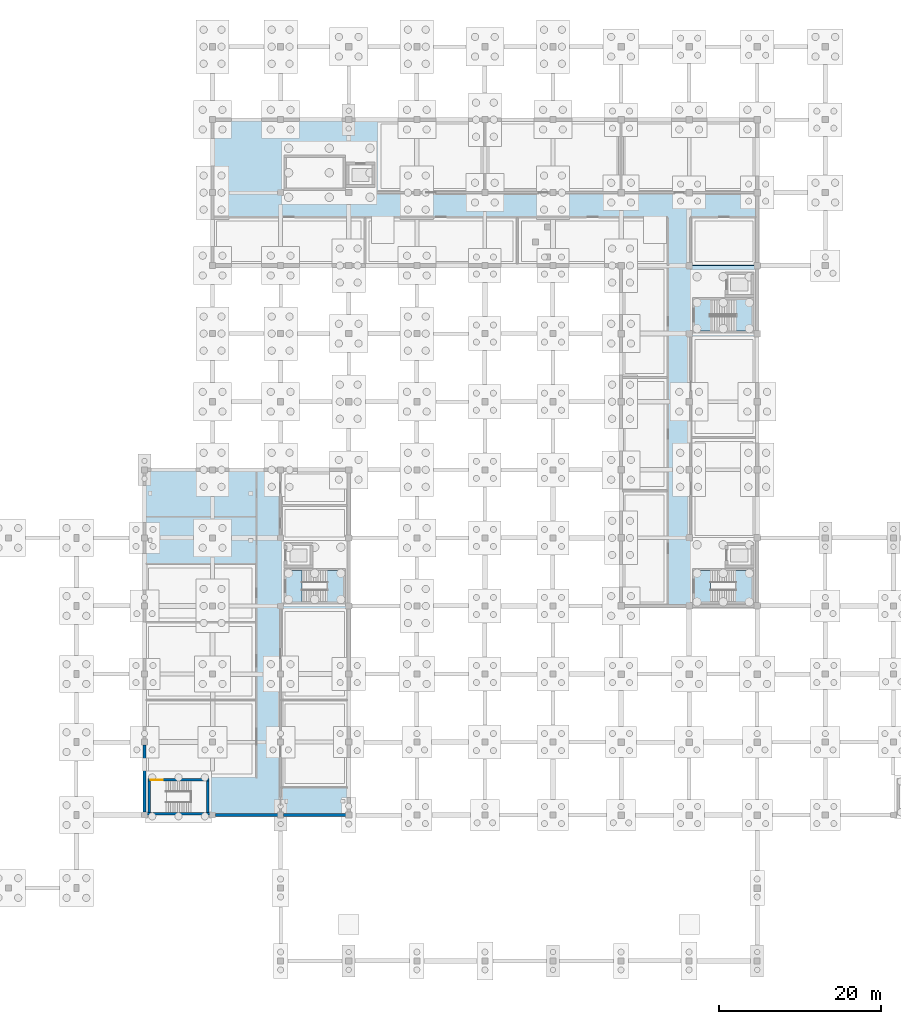
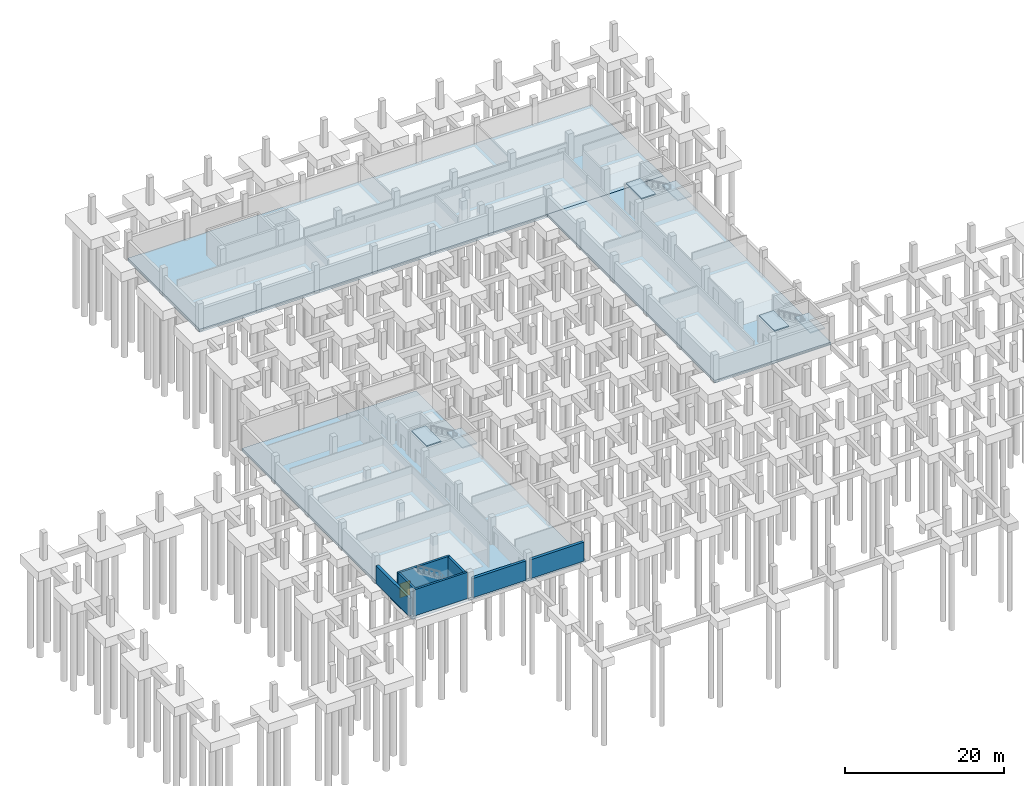
# One storey, part 11 of 20: 9 slabs, 7 walls, 1 door, 1 opening, 3 elements without a shape of their own.
"""IFC4 building model written with IfcOpenShell, lengths in metres."""

from ifc_helpers import new_model, si_unit, direction, frame, frame_2d, origin, place, context, subcontext, project, spatial, polyline, rectangle, outline, extrude, material, layer, layer_set, type_object, element, fill, aggregate, save


model = new_model("IFC4")

# Units and contexts
model_context = context("Model", 3, precision=1e-05, world=origin(), true_north=direction((0.0, 1.0)))
body_context = subcontext(model_context, "Body", "Model", "MODEL_VIEW")
ifc_project = project(units=[si_unit("LENGTHUNIT", "METRE"), si_unit("AREAUNIT", "SQUARE_METRE"), si_unit("VOLUMEUNIT", "CUBIC_METRE"), si_unit("PLANEANGLEUNIT", "RADIAN"), si_unit("MASSUNIT", "GRAM", prefix="KILO")], contexts=[model_context])

# Site, building, storey
site_placement = place(None, origin())
site = spatial("IfcSite", under=ifc_project, at=site_placement, CompositionType="ELEMENT")
building_placement = place(site_placement, origin())
building = spatial("IfcBuilding", under=site, at=building_placement, Name="Vireocrest Preparatory School", CompositionType="ELEMENT")
storey_placement = place(building_placement, frame((0.0, 0.0, -4.199951171875)))
storey = spatial("IfcBuildingStorey", under=building, at=storey_placement, Name="B01", CompositionType="ELEMENT", Elevation=-4.199951171875)

# Slabs
ifc_material_1 = material(Name="Concrete 40 MPa", Category="concrete")
ifc_layer_1 = layer(ifc_material_1, 0.419921875)
ifc_layer_set_1 = layer_set([ifc_layer_1], Name="Concrete 40 MPa")
slab_type_1 = type_object("IfcSlabType", Name="Basement Structural RC Base Slab 420", PredefinedType="BASESLAB", material=ifc_layer_set_1)
slab_1_placement = place(storey_placement, frame((0.0, 0.0, -0.420166015625)))
element("IfcSlab", 1, at=slab_1_placement, inside=storey, type_object=slab_type_1, Name="Slab B01_WEST_SUB", PredefinedType="BASESLAB", context=body_context, shape_type="SweptSolid", body=[
    extrude(outline(polyline([(33.60009765625, 18.0), (58.800048828125, 18.0), (58.800048828125, 60.60009765625), (33.60009765625, 60.60009765625), (33.60009765625, 18.0)])), origin(), (0.0, 0.0, 1.0), 0.420166015625),
])
slab_2_placement = place(storey_placement, frame((0.0, 0.0, -0.420166015625)))
element("IfcSlab", 2, at=slab_2_placement, inside=storey, type_object=slab_type_1, Name="Slab B01_EAST_PLANT", PredefinedType="BASESLAB", context=body_context, shape_type="SweptSolid", body=[
    extrude(outline(polyline([(92.39990234375, 43.800048828125), (109.199951171875, 43.800048828125), (109.199951171875, 85.800048828125), (92.39990234375, 85.800048828125), (92.39990234375, 43.800048828125)])), origin(), (0.0, 0.0, 1.0), 0.420166015625),
])
ifc_layer_2 = layer(ifc_material_1, 0.47998046875)
ifc_layer_set_2 = layer_set([ifc_layer_2], Name="Concrete 40 MPa")
slab_type_2 = type_object("IfcSlabType", Name="Central Plant Heavy RC Equipment Base Slab 480", PredefinedType="BASESLAB", material=ifc_layer_set_2)
slab_3_placement = place(storey_placement, frame((0.0, 0.0, -0.47998046875)))
element("IfcSlab", 3, at=slab_3_placement, inside=storey, type_object=slab_type_2, Name="Slab B01_NORTH_PLANT", PredefinedType="BASESLAB", context=body_context, shape_type="SweptSolid", body=[
    extrude(outline(polyline([(42.0, 85.800048828125), (109.199951171875, 85.800048828125), (109.199951171875, 103.800048828125), (42.0, 103.800048828125), (42.0, 85.800048828125)])), origin(), (0.0, 0.0, 1.0), 0.47998046875),
])

# Stair, slabs
stair_type_1 = type_object("IfcStairType", Name="Two-Run Exit Stair 4200 Rise 1500 Wide", PredefinedType="HALF_TURN_STAIR", material=ifc_material_1)
stair_1_placement = place(storey_placement, origin())
stair_1 = element("IfcStair", 4, at=stair_1_placement, inside=storey, type_object=stair_type_1, Name="Two-Run Stair ST1-B01", PredefinedType="HALF_TURN_STAIR")
ifc_layer_3 = layer(ifc_material_1, 0.179931640625)
ifc_layer_set_3 = layer_set([ifc_layer_3], Name="Concrete 40 MPa")
slab_type_3 = type_object("IfcSlabType", Name="Precast Concrete Stair Landing Slab 180", PredefinedType="LANDING", material=ifc_layer_set_3)
slab_4_placement = place(storey_placement, frame((0.0, 0.0, 1.919921875)))
slab_4 = element("IfcSlab", 5, at=slab_4_placement, type_object=slab_type_3, Name="Stair Half-Landing ST1-B01", PredefinedType="LANDING", context=body_context, shape_type="SweptSolid", body=[
    extrude(outline(polyline([(56.135009765625, 44.31005859375), (58.2451171875, 44.31005859375), (58.2451171875, 48.18994140625), (56.135009765625, 48.18994140625), (56.135009765625, 44.31005859375)])), origin(), (0.0, 0.0, 1.0), 0.179931640625),
])
slab_5_placement = place(storey_placement, frame((0.0, 0.0, 4.02001953125)))
slab_5 = element("IfcSlab", 6, at=slab_5_placement, type_object=slab_type_3, Name="Stair Arrival Landing ST1-B01", PredefinedType="LANDING", context=body_context, shape_type="SweptSolid", body=[
    extrude(outline(polyline([(50.955078125, 44.31005859375), (53.06494140625, 44.31005859375), (53.06494140625, 48.18994140625), (50.955078125, 48.18994140625), (50.955078125, 44.31005859375)])), origin(), (0.0, 0.0, 1.0), 0.179931640625),
])
aggregate(stair_1, [slab_4, slab_5])

stair_2_placement = place(storey_placement, origin())
stair_2 = element("IfcStair", 7, at=stair_2_placement, inside=storey, type_object=stair_type_1, Name="Two-Run Stair ST2-B01", PredefinedType="HALF_TURN_STAIR")
slab_6_placement = place(storey_placement, frame((0.0, 0.0, 1.919921875)))
slab_6 = element("IfcSlab", 8, at=slab_6_placement, type_object=slab_type_3, Name="Stair Half-Landing ST2-B01", PredefinedType="LANDING", context=body_context, shape_type="SweptSolid", body=[
    extrude(outline(polyline([(106.534912109375, 44.31005859375), (108.64501953125, 44.31005859375), (108.64501953125, 48.18994140625), (106.534912109375, 48.18994140625), (106.534912109375, 44.31005859375)])), origin(), (0.0, 0.0, 1.0), 0.179931640625),
])
slab_7_placement = place(storey_placement, frame((0.0, 0.0, 4.02001953125)))
slab_7 = element("IfcSlab", 9, at=slab_7_placement, type_object=slab_type_3, Name="Stair Arrival Landing ST2-B01", PredefinedType="LANDING", context=body_context, shape_type="SweptSolid", body=[
    extrude(outline(polyline([(101.35498046875, 44.31005859375), (103.465087890625, 44.31005859375), (103.465087890625, 48.18994140625), (101.35498046875, 48.18994140625), (101.35498046875, 44.31005859375)])), origin(), (0.0, 0.0, 1.0), 0.179931640625),
])
aggregate(stair_2, [slab_6, slab_7])

stair_type_2 = type_object("IfcStairType", Name="Feature Library Stair 4200 Rise 1800 Wide", PredefinedType="HALF_TURN_STAIR", material=ifc_material_1)
stair_3_placement = place(storey_placement, origin())
stair_3 = element("IfcStair", 10, at=stair_3_placement, inside=storey, type_object=stair_type_2, Name="Two-Run Stair ST4-B01", PredefinedType="HALF_TURN_STAIR")
slab_8_placement = place(storey_placement, frame((0.0, 0.0, 1.919921875)))
slab_8 = element("IfcSlab", 11, at=slab_8_placement, type_object=slab_type_3, Name="Stair Half-Landing ST4-B01", PredefinedType="LANDING", context=body_context, shape_type="SweptSolid", body=[
    extrude(outline(polyline([(106.590087890625, 77.7099609375), (108.64501953125, 77.7099609375), (108.64501953125, 81.590087890625), (106.590087890625, 81.590087890625), (106.590087890625, 77.7099609375)])), origin(), (0.0, 0.0, 1.0), 0.179931640625),
])
slab_9_placement = place(storey_placement, frame((0.0, 0.0, 4.02001953125)))
slab_9 = element("IfcSlab", 12, at=slab_9_placement, type_object=slab_type_3, Name="Stair Arrival Landing ST4-B01", PredefinedType="LANDING", context=body_context, shape_type="SweptSolid", body=[
    extrude(outline(polyline([(101.35498046875, 77.7099609375), (103.409912109375, 77.7099609375), (103.409912109375, 81.590087890625), (101.35498046875, 81.590087890625), (101.35498046875, 77.7099609375)])), origin(), (0.0, 0.0, 1.0), 0.179931640625),
])
aggregate(stair_3, [slab_8, slab_9])

# Walls
ifc_material_2 = material(Name="Concrete 45 MPa", Category="concrete")
ifc_layer_4 = layer(ifc_material_2, 0.39990234375)
ifc_layer_set_4 = layer_set([ifc_layer_4], Name="Concrete 45 MPa")
wall_type_1 = type_object("IfcWallType", Name="Basement RC Retaining Wall 400", PredefinedType="SHEAR", material=ifc_layer_set_4)
wall_1_placement = place(storey_placement, frame((42.35009765625, 18.0, 0.0), z_axis=(0.0, 0.0, 1.0), x_axis=(1.0, 0.0, 0.0)))
element("IfcWall", 13, at=wall_1_placement, inside=storey, type_object=wall_type_1, Name="External Wall RW1 EW_B01_0001", PredefinedType="SHEAR", context=body_context, shape_type="SweptSolid", body=[
    extrude(rectangle(XDim=7.699951171875, YDim=0.39990234375, at=frame_2d((3.85009765625, 0.0))), origin(), (0.0, 0.0, 1.0), 2.949951171875),
])
wall_2_placement = place(storey_placement, frame((50.75, 18.0, 0.0), z_axis=(0.0, 0.0, 1.0), x_axis=(1.0, 0.0, 0.0)))
element("IfcWall", 14, at=wall_2_placement, inside=storey, type_object=wall_type_1, Name="External Wall RW1 EW_B01_0002", PredefinedType="SHEAR", context=body_context, shape_type="SweptSolid", body=[
    extrude(rectangle(XDim=7.699951171875, YDim=0.39990234375, at=frame_2d((3.85009765625, 0.0))), origin(), (0.0, 0.0, 1.0), 2.89990234375),
])
wall_3_placement = place(storey_placement, frame((33.60009765625, 18.35009765625, 0.0), z_axis=(0.0, 0.0, 1.0), x_axis=(0.0, 1.0, 0.0)))
element("IfcWall", 15, at=wall_3_placement, inside=storey, type_object=wall_type_1, Name="External Wall RW1 EW_B01_0011", PredefinedType="SHEAR", context=body_context, shape_type="SweptSolid", body=[
    extrude(rectangle(XDim=8.2998046875, YDim=0.39990234375, at=frame_2d((4.14990234375, 0.0))), origin(), (0.0, 0.0, 1.0), 2.699951171875),
])
ifc_layer_5 = layer(ifc_material_2, 0.300048828125)
ifc_layer_set_5 = layer_set([ifc_layer_5], Name="Concrete 45 MPa")
wall_type_2 = type_object("IfcWallType", Name="Two-Hour RC Stair Shaft Shear Wall 300", PredefinedType="SHEAR", material=ifc_layer_set_5)
wall_4_placement = place(storey_placement, frame((33.925048828125, 18.14990234375, 0.0), z_axis=(0.0, 0.0, 1.0), x_axis=(1.0, 0.0, 0.0)))
element("IfcWall", 16, at=wall_4_placement, inside=storey, type_object=wall_type_2, Name="Stair Core Shear Wall ST5 B01-S", PredefinedType="SHEAR", context=body_context, shape_type="SweptSolid", body=[
    extrude(rectangle(XDim=7.75, YDim=0.300048828125, at=frame_2d((3.875, 0.0))), origin(), (0.0, 0.0, 1.0), 4.02490234375),
])

# Wall, opening, door
wall_5_placement = place(storey_placement, frame((34.050048828125, 22.35009765625, 0.0), z_axis=(0.0, 0.0, 1.0), x_axis=(1.0, 0.0, 0.0)))
wall_5 = element("IfcWall", 17, at=wall_5_placement, inside=storey, type_object=wall_type_2, Name="Stair Core Shear Wall ST5 B01-N", PredefinedType="SHEAR", context=body_context, shape_type="SweptSolid", body=[
    extrude(rectangle(XDim=7.5, YDim=0.300048828125, at=frame_2d((3.75, 0.0))), origin(), (0.0, 0.0, 1.0), 4.02490234375),
])
opening_placement = place(wall_5_placement, frame((0.300048828125, 0.0, 0.0)))
opening = element("IfcOpeningElement", 18, at=opening_placement, cuts=wall_5, Name="Opening SD-ST5-B01", PredefinedType="OPENING", context=body_context, shape_type="SweptSolid", body=[
    extrude(rectangle(XDim=1.5, YDim=2.199951171875, at=frame_2d((0.75, 1.10009765625))), frame((0.0, 0.159912109375, 0.0), z_axis=(0.0, -1.0, 0.0), x_axis=(1.0, 0.0, 0.0)), (0.0, 0.0, 1.0), 0.320068359375),
])
ifc_material_3 = material(Name="Painted galvanized hollow steel", Category="steel")
door_type = type_object("IfcDoorType", Name="Stair Enclosure Fire Door 1500x2200", OperationType="DOUBLE_DOOR_SINGLE_SWING", PredefinedType="DOOR", material=ifc_material_3)
door_placement = place(opening_placement, origin())
door = element("IfcDoor", 19, at=door_placement, inside=storey, type_object=door_type, Name="Stair Enclosure Fire Door SD-ST5-B01", OperationType="DOUBLE_DOOR_SINGLE_SWING", OverallHeight=2.199951171875, OverallWidth=1.5, PredefinedType="DOOR", context=body_context, shape_type="SweptSolid", body=[
    extrude(rectangle(XDim=1.5, YDim=2.199951171875, at=frame_2d((0.75, 1.10009765625))), frame((0.0, 0.02490234375, 0.0), z_axis=(0.0, -1.0, 0.0), x_axis=(1.0, 0.0, 0.0)), (0.0, 0.0, 1.0), 0.050048828125),
])
fill(opening, door)

# Walls
for number, where, z_axis, x_axis, name in (
    (20, (34.199951171875, 18.300048828125, 0.0), (0.0, 0.0, 1.0), (0.0, 1.0, 0.0), "Stair Core Shear Wall ST5 B01-W"),
    (21, (41.39990234375, 18.300048828125, 0.0), (0.0, 0.0, 1.0), (0.0, 1.0, 0.0), "Stair Core Shear Wall ST5 B01-E"),
):
    element("IfcWall", number, at=place(storey_placement, frame(where, z_axis=z_axis, x_axis=x_axis)), inside=storey, type_object=wall_type_2, Name=name, PredefinedType="SHEAR", context=body_context, shape_type="SweptSolid", body=[
        extrude(rectangle(XDim=3.89990234375, YDim=0.300048828125, at=frame_2d((1.949951171875, 0.0))), origin(), (0.0, 0.0, 1.0), 4.02490234375),
    ])

save(model, "model.ifc")
